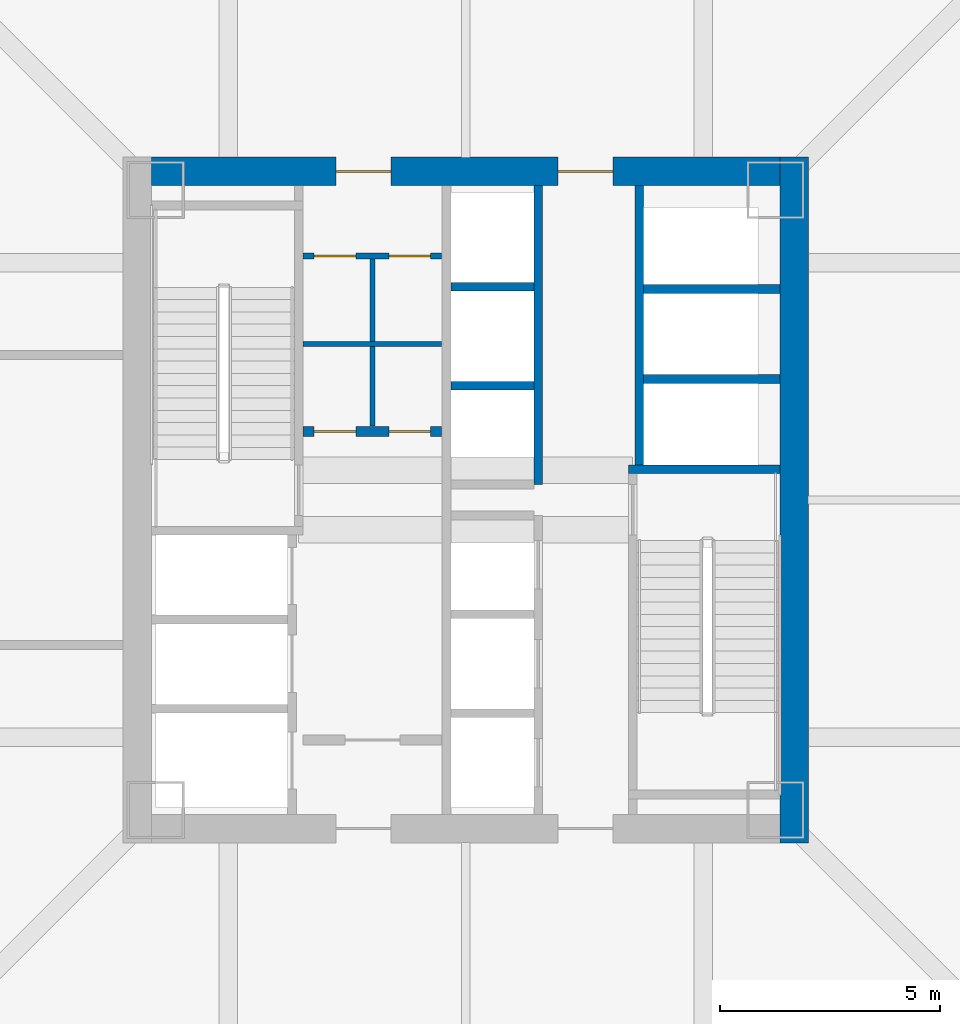
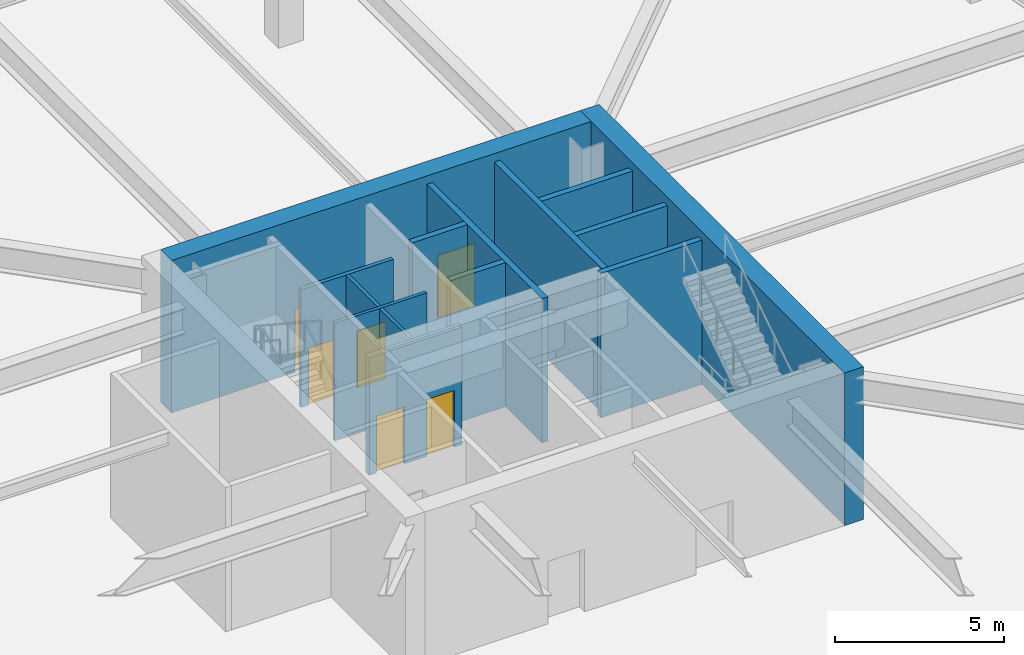
# One storey, part 8 of 17: 13 walls, 6 doors, 6 openings.
"""IFC4 building model written with IfcOpenShell, lengths in metres."""

from ifc_helpers import new_model, si_unit, direction, frame, frame_2d, origin, place, context, subcontext, project, spatial, rectangle, extrude, material, layer, layer_set, type_object, element, fill, save


model = new_model("IFC4")

# Units and contexts
model_context = context("Model", 3, precision=1e-05, world=origin(), true_north=direction((0.0, 1.0)))
body_context = subcontext(model_context, "Body", "Model", "MODEL_VIEW")
ifc_project = project(units=[si_unit("LENGTHUNIT", "METRE"), si_unit("AREAUNIT", "SQUARE_METRE"), si_unit("VOLUMEUNIT", "CUBIC_METRE"), si_unit("PLANEANGLEUNIT", "RADIAN"), si_unit("MASSUNIT", "GRAM", prefix="KILO")], contexts=[model_context])

# Site, building, storey
site_placement = place(None, origin())
site = spatial("IfcSite", under=ifc_project, at=site_placement, CompositionType="ELEMENT")
building_placement = place(site_placement, origin())
building = spatial("IfcBuilding", under=site, at=building_placement, Name="Tashvorn Skyway Center", CompositionType="ELEMENT")
storey_placement = place(building_placement, frame((0.0, 0.0, -5.5)))
storey = spatial("IfcBuildingStorey", under=building, at=storey_placement, Name="B1", CompositionType="ELEMENT", Elevation=-5.5)

# Wall
ifc_material_1 = material(Name="Concrete C60/75", Category="concrete")
ifc_layer_1 = layer(ifc_material_1, 0.64990234375)
ifc_layer_set_1 = layer_set([ifc_layer_1], Name="Concrete C60/75")
wall_type_1 = type_object("IfcWallType", Name="WALL-CORE-650", PredefinedType="SHEAR", material=ifc_layer_set_1)
wall_1_placement = place(storey_placement, frame((49.47509765625, 39.800048828125, 0.0), z_axis=(0.0, 0.0, 1.0), x_axis=(0.0, -1.0, 0.0)))
element("IfcWall", 1, at=wall_1_placement, inside=storey, type_object=wall_type_1, Name="Tower 1 B1 East Core Shear Wall", PredefinedType="SHEAR", context=body_context, shape_type="SweptSolid", body=[
    extrude(rectangle(XDim=15.60009765625, YDim=0.64990234375, at=frame_2d((7.800048828125, 0.0))), origin(), (0.0, 0.0, 1.0), 5.5),
])

# Wall, openings, doors
wall_2_placement = place(storey_placement, frame((34.85009765625, 39.47509765625, 0.0), z_axis=(0.0, 0.0, 1.0), x_axis=(1.0, 0.0, 0.0)))
wall_2 = element("IfcWall", 2, at=wall_2_placement, inside=storey, type_object=wall_type_1, Name="Tower 1 B1 North Core Shear Wall", PredefinedType="SHEAR", context=body_context, shape_type="SweptSolid", body=[
    extrude(rectangle(XDim=14.2998046875, YDim=0.64990234375, at=frame_2d((7.14990234375, 0.0))), origin(), (0.0, 0.0, 1.0), 5.5),
])
opening_1_placement = place(wall_2_placement, frame((4.199951171875, 0.0, 0.0)))
opening_1 = element("IfcOpeningElement", 3, at=opening_1_placement, cuts=wall_2, Name="Opening D-FFL-1250", PredefinedType="OPENING", context=body_context, shape_type="SweptSolid", body=[
    extrude(rectangle(XDim=1.25, YDim=2.25, at=frame_2d((0.625, 1.125))), frame((0.0, 0.3349609375, 0.0), z_axis=(0.0, -1.0, 0.0), x_axis=(1.0, 0.0, 0.0)), (0.0, 0.0, 1.0), 0.669921875),
])
opening_2_placement = place(wall_2_placement, frame((9.25, 0.0, 0.0)))
opening_2 = element("IfcOpeningElement", 4, at=opening_2_placement, cuts=wall_2, Name="Opening D-FFL-1250", PredefinedType="OPENING", context=body_context, shape_type="SweptSolid", body=[
    extrude(rectangle(XDim=1.25, YDim=2.25, at=frame_2d((0.625, 1.125))), frame((0.0, 0.3349609375, 0.0), z_axis=(0.0, -1.0, 0.0), x_axis=(1.0, 0.0, 0.0)), (0.0, 0.0, 1.0), 0.669921875),
])
ifc_material_2 = material(Name="Hollow galvanized steel fire door assembly", Category="steel")
door_type_1 = type_object("IfcDoorType", Name="DOOR-FFL-1250", OperationType="NOTDEFINED", PredefinedType="DOOR", material=ifc_material_2)
door_1_placement = place(opening_1_placement, origin())
door_1 = element("IfcDoor", 5, at=door_1_placement, inside=storey, type_object=door_type_1, Name="Tower 1 B1 Core North Service Lobby Door", OperationType="SINGLE_SWING_LEFT", OverallHeight=2.25, OverallWidth=1.25, PredefinedType="DOOR", context=body_context, shape_type="SweptSolid", body=[
    extrude(rectangle(XDim=1.25, YDim=2.25, at=frame_2d((0.625, 1.125))), frame((0.0, 0.02490234375, 0.0), z_axis=(0.0, -1.0, 0.0), x_axis=(1.0, 0.0, 0.0)), (0.0, 0.0, 1.0), 0.050048828125),
])
fill(opening_1, door_1)
door_2_placement = place(opening_2_placement, origin())
door_2 = element("IfcDoor", 6, at=door_2_placement, inside=storey, type_object=door_type_1, Name="Tower 1 B1 Core North Lift Lobby Door", OperationType="SINGLE_SWING_RIGHT", OverallHeight=2.25, OverallWidth=1.25, PredefinedType="DOOR", context=body_context, shape_type="SweptSolid", body=[
    extrude(rectangle(XDim=1.25, YDim=2.25, at=frame_2d((0.625, 1.125))), frame((0.0, 0.02490234375, 0.0), z_axis=(0.0, -1.0, 0.0), x_axis=(1.0, 0.0, 0.0)), (0.0, 0.0, 1.0), 0.050048828125),
])
fill(opening_2, door_2)

ifc_material_3 = material(Name="Concrete C40/50", Category="concrete")
ifc_layer_2 = layer(ifc_material_3, 0.219970703125)
ifc_layer_set_2 = layer_set([ifc_layer_2], Name="Concrete C40/50")
wall_type_2 = type_object("IfcWallType", Name="WALL-FFL-220", PredefinedType="SOLIDWALL", material=ifc_layer_set_2)
wall_3_placement = place(storey_placement, frame((38.300048828125, 33.56005859375, 0.0), z_axis=(0.0, 0.0, 1.0), x_axis=(1.0, 0.0, 0.0)))
wall_3 = element("IfcWall", 7, at=wall_3_placement, inside=storey, type_object=wall_type_2, Name="Tower 1 B1 Firefighting Lobby North Wall", PredefinedType="SOLIDWALL", context=body_context, shape_type="SweptSolid", body=[
    extrude(rectangle(XDim=3.14990234375, YDim=0.219970703125, at=frame_2d((1.574951171875, 0.0))), origin(), (0.0, 0.0, 1.0), 4.242919921875),
])
opening_3_placement = place(wall_3_placement, frame((0.25, 0.0, 0.0)))
opening_3 = element("IfcOpeningElement", 8, at=opening_3_placement, cuts=wall_3, Name="Opening D-RT-950", PredefinedType="OPENING", context=body_context, shape_type="SweptSolid", body=[
    extrude(rectangle(XDim=0.949951171875, YDim=2.050048828125, at=frame_2d((0.47509765625, 1.02490234375))), frame((0.0, 0.119873046875, 0.0), z_axis=(0.0, -1.0, 0.0), x_axis=(1.0, 0.0, 0.0)), (0.0, 0.0, 1.0), 0.239990234375),
])
opening_4_placement = place(wall_3_placement, frame((1.949951171875, 0.0, 0.0)))
opening_4 = element("IfcOpeningElement", 9, at=opening_4_placement, cuts=wall_3, Name="Opening D-RT-950", PredefinedType="OPENING", context=body_context, shape_type="SweptSolid", body=[
    extrude(rectangle(XDim=0.949951171875, YDim=2.050048828125, at=frame_2d((0.47509765625, 1.02490234375))), frame((0.0, 0.119873046875, 0.0), z_axis=(0.0, -1.0, 0.0), x_axis=(1.0, 0.0, 0.0)), (0.0, 0.0, 1.0), 0.239990234375),
])
door_type_2 = type_object("IfcDoorType", Name="DOOR-RATED-950", OperationType="NOTDEFINED", PredefinedType="DOOR", material=ifc_material_2)
door_3_placement = place(opening_3_placement, origin())
door_3 = element("IfcDoor", 10, at=door_3_placement, inside=storey, type_object=door_type_2, Name="Tower 1 B1 Core Mail Room Door", OperationType="SINGLE_SWING_LEFT", OverallHeight=2.050048828125, OverallWidth=0.949951171875, PredefinedType="DOOR", context=body_context, shape_type="SweptSolid", body=[
    extrude(rectangle(XDim=0.949951171875, YDim=2.050048828125, at=frame_2d((0.47509765625, 1.02490234375))), frame((0.0, 0.02490234375, 0.0), z_axis=(0.0, -1.0, 0.0), x_axis=(1.0, 0.0, 0.0)), (0.0, 0.0, 1.0), 0.050048828125),
])
fill(opening_3, door_3)
door_4_placement = place(opening_4_placement, origin())
door_4 = element("IfcDoor", 11, at=door_4_placement, inside=storey, type_object=door_type_2, Name="Tower 1 B1 Core Supply Closet Door", OperationType="SINGLE_SWING_RIGHT", OverallHeight=2.050048828125, OverallWidth=0.949951171875, PredefinedType="DOOR", context=body_context, shape_type="SweptSolid", body=[
    extrude(rectangle(XDim=0.949951171875, YDim=2.050048828125, at=frame_2d((0.47509765625, 1.02490234375))), frame((0.0, 0.02490234375, 0.0), z_axis=(0.0, -1.0, 0.0), x_axis=(1.0, 0.0, 0.0)), (0.0, 0.0, 1.0), 0.050048828125),
])
fill(opening_4, door_4)

# Walls
ifc_material_4 = material(Name="Gypsum board on cold-formed steel stud framing", Category="steel")
ifc_layer_3 = layer(ifc_material_4, 0.110107421875)
ifc_layer_set_3 = layer_set([ifc_layer_3], Name="Gypsum board on cold-formed steel stud framing")
wall_type_3 = type_object("IfcWallType", Name="WALL-RATED-110", PredefinedType="PARTITIONING", material=ifc_layer_set_3)
wall_4_placement = place(storey_placement, frame((39.8798828125, 33.679931640625, 0.0), z_axis=(0.0, 0.0, 1.0), x_axis=(0.0, 1.0, 0.0)))
element("IfcWall", 12, at=wall_4_placement, inside=storey, type_object=wall_type_3, Name="Tower 1 B1 Core Cross Vertical", PredefinedType="PARTITIONING", context=body_context, shape_type="SweptSolid", body=[
    extrude(rectangle(XDim=3.800048828125, YDim=0.110107421875, at=frame_2d((1.89990234375, 0.0))), origin(), (0.0, 0.0, 1.0), 4.242919921875),
])
wall_5_placement = place(storey_placement, frame((38.300048828125, 35.550048828125, 0.0), z_axis=(0.0, 0.0, 1.0), x_axis=(1.0, 0.0, 0.0)))
element("IfcWall", 13, at=wall_5_placement, inside=storey, type_object=wall_type_3, Name="Tower 1 B1 Core Cross Horizontal", PredefinedType="PARTITIONING", context=body_context, shape_type="SweptSolid", body=[
    extrude(rectangle(XDim=3.14990234375, YDim=0.110107421875, at=frame_2d((1.574951171875, 0.0))), origin(), (0.0, 0.0, 1.0), 4.242919921875),
])

# Wall, openings, doors
ifc_layer_4 = layer(ifc_material_4, 0.135009765625)
ifc_layer_set_4 = layer_set([ifc_layer_4], Name="Gypsum board on cold-formed steel stud framing")
wall_type_4 = type_object("IfcWallType", Name="WALL-RATED-135", PredefinedType="PARTITIONING", material=ifc_layer_set_4)
wall_6_placement = place(storey_placement, frame((38.300048828125, 37.550048828125, 0.0), z_axis=(0.0, 0.0, 1.0), x_axis=(1.0, 0.0, 0.0)))
wall_6 = element("IfcWall", 14, at=wall_6_placement, inside=storey, type_object=wall_type_4, Name="Tower 1 B1 Core Service Lobby Wall", PredefinedType="PARTITIONING", context=body_context, shape_type="SweptSolid", body=[
    extrude(rectangle(XDim=3.14990234375, YDim=0.135009765625, at=frame_2d((1.574951171875, 0.0))), origin(), (0.0, 0.0, 1.0), 4.242919921875),
])
opening_5_placement = place(wall_6_placement, frame((0.25, 0.0, 0.0)))
opening_5 = element("IfcOpeningElement", 15, at=opening_5_placement, cuts=wall_6, Name="Opening D-RT-950", PredefinedType="OPENING", context=body_context, shape_type="SweptSolid", body=[
    extrude(rectangle(XDim=0.949951171875, YDim=2.050048828125, at=frame_2d((0.47509765625, 1.02490234375))), frame((0.0, 0.077392578125, 0.0), z_axis=(0.0, -1.0, 0.0), x_axis=(1.0, 0.0, 0.0)), (0.0, 0.0, 1.0), 0.155029296875),
])
opening_6_placement = place(wall_6_placement, frame((1.949951171875, 0.0, 0.0)))
opening_6 = element("IfcOpeningElement", 16, at=opening_6_placement, cuts=wall_6, Name="Opening D-RT-950", PredefinedType="OPENING", context=body_context, shape_type="SweptSolid", body=[
    extrude(rectangle(XDim=0.949951171875, YDim=2.050048828125, at=frame_2d((0.47509765625, 1.02490234375))), frame((0.0, 0.077392578125, 0.0), z_axis=(0.0, -1.0, 0.0), x_axis=(1.0, 0.0, 0.0)), (0.0, 0.0, 1.0), 0.155029296875),
])
door_5_placement = place(opening_5_placement, origin())
door_5 = element("IfcDoor", 17, at=door_5_placement, inside=storey, type_object=door_type_2, Name="Tower 1 B1 Core Cleaner Store Door", OperationType="SINGLE_SWING_LEFT", OverallHeight=2.050048828125, OverallWidth=0.949951171875, PredefinedType="DOOR", context=body_context, shape_type="SweptSolid", body=[
    extrude(rectangle(XDim=0.949951171875, YDim=2.050048828125, at=frame_2d((0.47509765625, 1.02490234375))), frame((0.0, 0.02490234375, 0.0), z_axis=(0.0, -1.0, 0.0), x_axis=(1.0, 0.0, 0.0)), (0.0, 0.0, 1.0), 0.050048828125),
])
fill(opening_5, door_5)
door_6_placement = place(opening_6_placement, origin())
door_6 = element("IfcDoor", 18, at=door_6_placement, inside=storey, type_object=door_type_2, Name="Tower 1 B1 Core Accessible WC Door", OperationType="SINGLE_SWING_RIGHT", OverallHeight=2.050048828125, OverallWidth=0.949951171875, PredefinedType="DOOR", context=body_context, shape_type="SweptSolid", body=[
    extrude(rectangle(XDim=0.949951171875, YDim=2.050048828125, at=frame_2d((0.47509765625, 1.02490234375))), frame((0.0, 0.02490234375, 0.0), z_axis=(0.0, -1.0, 0.0), x_axis=(1.0, 0.0, 0.0)), (0.0, 0.0, 1.0), 0.050048828125),
])
fill(opening_6, door_6)

# Walls
ifc_layer_5 = layer(ifc_material_3, 0.199951171875)
ifc_layer_set_5 = layer_set([ifc_layer_5], Name="Concrete C40/50")
wall_type_5 = type_object("IfcWallType", Name="WALL-SHAFT-200", PredefinedType="SOLIDWALL", material=ifc_layer_set_5)
for number, where, z_axis, x_axis, name in (
    (19, (46.050048828125, 34.75, 0.0), (0.0, 0.0, 1.0), (1.0, 0.0, 0.0), "Tower 1 B1 High-Rise Shaft Divider"),
    (20, (46.050048828125, 36.800048828125, 0.0), (0.0, 0.0, 1.0), (1.0, 0.0, 0.0), "Tower 1 B1 High-Rise Shaft Divider"),
):
    element("IfcWall", number, at=place(storey_placement, frame(where, z_axis=z_axis, x_axis=x_axis)), inside=storey, type_object=wall_type_5, Name=name, PredefinedType="SOLIDWALL", context=body_context, shape_type="SweptSolid", body=[
        extrude(rectangle(XDim=3.099853515625, YDim=0.199951171875, at=frame_2d((1.5498046875, 0.0))), origin(), (0.0, 0.0, 1.0), 5.199951171875),
    ])
wall_7_placement = place(storey_placement, frame((43.64990234375, 32.35009765625, 0.0), z_axis=(0.0, 0.0, 1.0), x_axis=(0.0, 1.0, 0.0)))
element("IfcWall", 21, at=wall_7_placement, inside=storey, type_object=wall_type_5, Name="Tower 1 B1 Mid-Rise Core Wall", PredefinedType="SOLIDWALL", context=body_context, shape_type="SweptSolid", body=[
    extrude(rectangle(XDim=6.7998046875, YDim=0.199951171875, at=frame_2d((3.39990234375, 0.0))), origin(), (0.0, 0.0, 1.0), 5.199951171875),
])
for number, where, z_axis, x_axis, name in (
    (22, (41.669921875, 34.60009765625, 0.0), (0.0, 0.0, 1.0), (1.0, 0.0, 0.0), "Tower 1 B1 Mid-Rise Shaft Divider"),
    (23, (41.669921875, 36.85009765625, 0.0), (0.0, 0.0, 1.0), (1.0, 0.0, 0.0), "Tower 1 B1 Mid-Rise Shaft Divider"),
):
    element("IfcWall", number, at=place(storey_placement, frame(where, z_axis=z_axis, x_axis=x_axis)), inside=storey, type_object=wall_type_5, Name=name, PredefinedType="SOLIDWALL", context=body_context, shape_type="SweptSolid", body=[
        extrude(rectangle(XDim=1.880126953125, YDim=0.199951171875, at=frame_2d((0.93994140625, 0.0))), origin(), (0.0, 0.0, 1.0), 5.199951171875),
    ])
ifc_layer_6 = layer(ifc_material_3, 0.199951171875)
ifc_layer_set_6 = layer_set([ifc_layer_6], Name="Concrete C40/50")
wall_type_6 = type_object("IfcWallType", Name="WALL-STSHF-200", PredefinedType="SHEAR", material=ifc_layer_set_6)
wall_8_placement = place(storey_placement, frame((45.699951171875, 32.699951171875, 0.0), z_axis=(0.0, 0.0, 1.0), x_axis=(1.0, 0.0, 0.0)))
element("IfcWall", 24, at=wall_8_placement, inside=storey, type_object=wall_type_6, Name="Tower 1 B1 Stair 2 North Wall", PredefinedType="SHEAR", context=body_context, shape_type="SweptSolid", body=[
    extrude(rectangle(XDim=3.449951171875, YDim=0.199951171875, at=frame_2d((1.72509765625, 0.0))), origin(), (0.0, 0.0, 1.0), 5.199951171875),
])
wall_9_placement = place(storey_placement, frame((45.949951171875, 39.14990234375, 0.0), z_axis=(0.0, 0.0, 1.0), x_axis=(0.0, -1.0, 0.0)))
element("IfcWall", 25, at=wall_9_placement, inside=storey, type_object=wall_type_6, Name="Tower 1 B1 High-Rise Lift Shaft Front Wall", PredefinedType="SHEAR", context=body_context, shape_type="SweptSolid", body=[
    extrude(rectangle(XDim=6.349853515625, YDim=0.199951171875, at=frame_2d((3.1748046875, 0.0))), origin(), (0.0, 0.0, 1.0), 5.199951171875),
])

save(model, "model.ifc")
